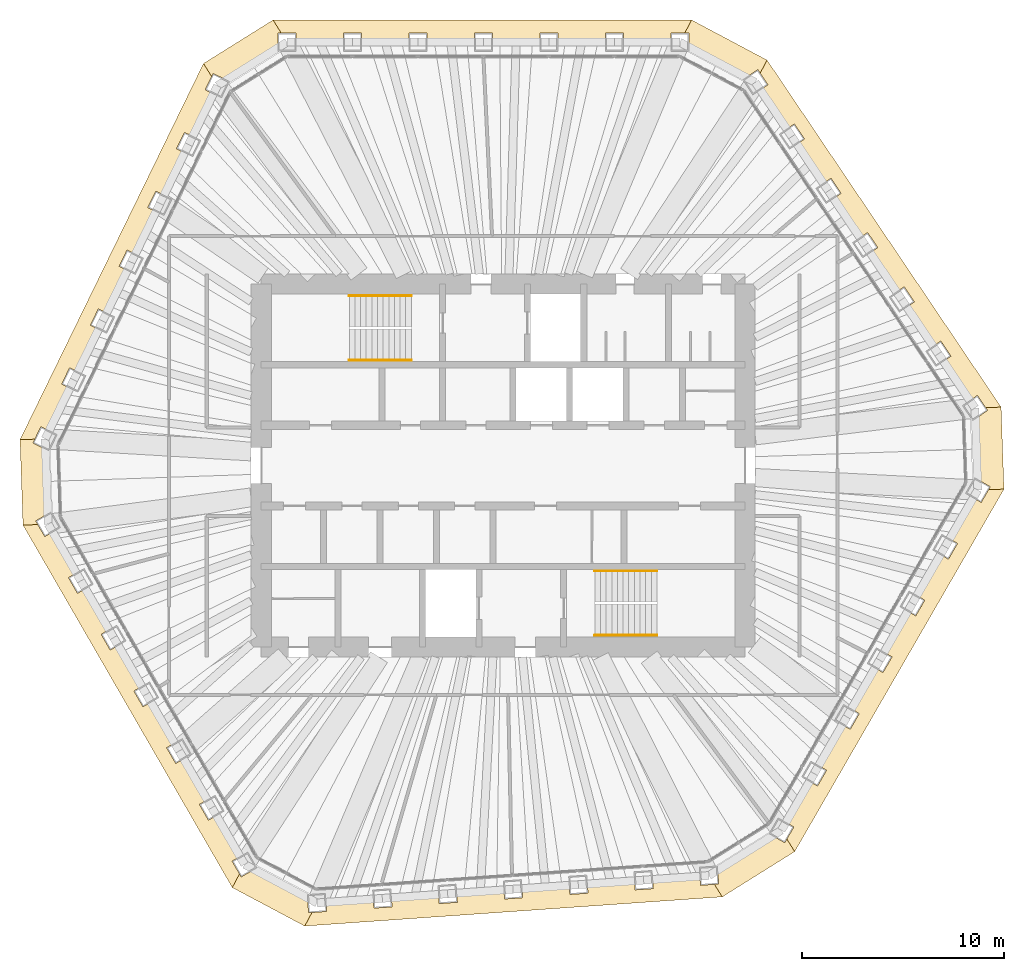
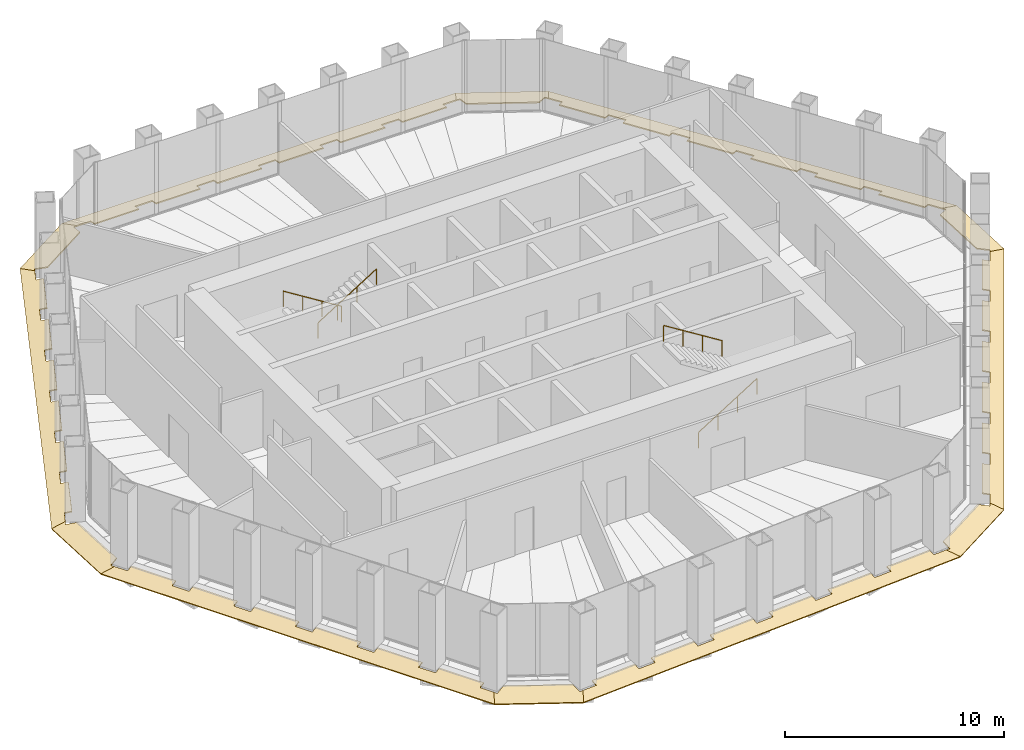
# One storey, part 14 of 14: 12 coverings, 4 railings.
"""IFC4 building model written with IfcOpenShell, lengths in metres."""

from ifc_helpers import new_model, si_unit, direction, frame, origin, origin_2d, place, context, subcontext, project, spatial, polyline, circle, outline, extrude, material, layer, layer_set, type_object, element, save


model = new_model("IFC4")

# Units and contexts
model_context = context("Model", 3, precision=1e-05, world=origin(), true_north=direction((0.0, 1.0)))
body_context = subcontext(model_context, "Body", "Model", "MODEL_VIEW")
ifc_project = project(units=[si_unit("LENGTHUNIT", "METRE"), si_unit("AREAUNIT", "SQUARE_METRE"), si_unit("VOLUMEUNIT", "CUBIC_METRE"), si_unit("PLANEANGLEUNIT", "RADIAN"), si_unit("MASSUNIT", "GRAM", prefix="KILO")], contexts=[model_context])

# Site, building, storey
site_placement = place(None, origin())
site = spatial("IfcSite", under=ifc_project, at=site_placement, CompositionType="ELEMENT")
building_placement = place(site_placement, origin())
building = spatial("IfcBuilding", under=site, at=building_placement, Name="Qingtian Harvest Tower", CompositionType="ELEMENT")
storey_placement = place(building_placement, frame((0.0, 0.0, 299.800048828125)))
storey = spatial("IfcBuildingStorey", under=building, at=storey_placement, Name="L66", CompositionType="ELEMENT", Elevation=299.800048828125)

# Coverings
ifc_material_1 = material(Name="Bronze-finished aluminium plate", Category="aluminium")
ifc_layer = layer(ifc_material_1, 0.06005859375)
ifc_layer_set = layer_set([ifc_layer], Name="Bronze eave band EB2 mid-tier")
covering_type = type_object("IfcCoveringType", Name="Bronze eave band EB2 mid-tier", PredefinedType="CLADDING", material=ifc_layer_set)
covering_1_placement = place(storey_placement, frame((-10.272216796875, 21.10009765625, -0.02001953125), z_axis=(0.0, 0.196032628704, 0.98059737328), x_axis=(0.0, 0.98059737328, -0.196032628704)))
element("IfcCovering", 1, at=covering_1_placement, inside=storey, type_object=covering_type, Name="Eave band EB2 L66 1", PredefinedType="CLADDING", context=body_context, shape_type="SweptSolid", body=[
    extrude(outline(polyline([(0.0, 0.0), (0.3568011231318641, 0.0), (0.3568011231318641, 0.731201171875), (1.0197943271149812, 1.137451171875), (1.0197943271149812, -19.623046875), (0.3568011231318641, -19.27734375), (0.3568011231318641, -18.588134765625), (0.0, -18.588134765625), (0.0, -16.239990234375), (0.3568011231318641, -16.239990234375), (0.3568011231318641, -15.340087890625), (0.0, -15.340087890625), (0.0, -12.991943359375), (0.3568011231318641, -12.991943359375), (0.3568011231318641, -12.092041015625), (0.0, -12.092041015625), (0.0, -9.744140625), (0.3568011231318641, -9.744140625), (0.3568011231318641, -8.843994140625), (0.0, -8.843994140625), (0.0, -6.49609375), (0.3568011231318641, -6.49609375), (0.3568011231318641, -5.595947265625), (0.0, -5.595947265625), (0.0, -3.248046875), (0.3568011231318641, -3.248046875), (0.3568011231318641, -2.347900390625), (0.0, -2.347900390625), (0.0, 0.0)])), origin(), (0.0, 0.0, -1.0), 0.06005859375),
])
covering_2_placement = place(storey_placement, frame((9.2158203125, 20.888916015625, -0.02001953125), z_axis=(0.081612807173, 0.153491678975, 0.98477391019), x_axis=(-6.13463e-06, 0.988070079609, -0.15400492766)))
element("IfcCovering", 2, at=covering_2_placement, inside=storey, type_object=covering_type, Name="Eave band EB2 L66 2", PredefinedType="CLADDING", context=body_context, shape_type="SweptSolid", body=[
    extrude(outline(polyline([(0.0, 0.0), (0.5678024431259948, 0.0), (0.5651342166419822, 0.21138832414819433), (1.227524977598705, -0.13546772153503472), (-0.7385065590913181, -3.889925021697679), (-1.400897321545753, -3.543312302213365), (-1.2255077976468036, -3.4249875379636885), (-1.548943376243149, -2.958344183529443), (0.0, 0.0)])), origin(), (0.0, 0.0, -1.0), 0.06005859375),
])
covering_3_placement = place(storey_placement, frame((12.842529296875, 18.693115234375, -0.02001953125), z_axis=(0.16252715156, 0.109625267565, 0.980595342492), x_axis=(0.812733439525, 0.548663455919, -0.196042771907)))
element("IfcCovering", 3, at=covering_3_placement, inside=storey, type_object=covering_type, Name="Eave band EB2 L66 3", PredefinedType="CLADDING", context=body_context, shape_type="SweptSolid", body=[
    extrude(outline(polyline([(0.0, 0.0), (0.3568895735693301, 1.7513253217429914e-17), (0.3572262726123724, 0.6890512692569519), (1.0201665447546358, 1.034611826029597), (1.0121489985931993, -19.72584646600453), (0.34930591557689844, -19.319448435720673), (0.34974917321418836, -18.588347670535285), (-0.007204870565983512, -18.588008722056383), (-0.00632271815442742, -16.24004599677182), (0.3507652766647866, -16.240182595421913), (0.3509750347185698, -15.34013510209358), (-0.005914538850760209, -15.34013510209358), (-0.0050323864392050055, -12.992172376809016), (0.351857187130125, -12.992172376809016), (0.3522653664337913, -12.092261482130777), (-0.004688677346379677, -12.091922533651875), (-0.0038065249348244734, -9.743959808367311), (0.3532814698843895, -9.744096407017407), (0.35349122793817184, -8.844048913689072), (-0.0033983456311572624, -8.844048913689072), (-0.0025161932196025028, -6.496086188404508), (0.3543733803497275, -6.496086188404508), (0.3547815596533938, -5.596175293726269), (-0.0023064351658197424, -5.596038695076172), (-0.0012903317152219707, -3.247873619962803), (0.35566371206494923, -3.2482125684417045), (0.3560074211577749, -2.347962725284563), (-0.0008821524115549817, -2.3479627252845634), (0.0, 0.0)])), origin(), (0.0, 0.0, -1.0), 0.06005859375),
])
covering_4_placement = place(storey_placement, frame((23.539306640625, 2.4013671875, -0.02001953125), z_axis=(0.167069988441, 0.005836757079, 0.985927761669), x_axis=(0.820682210715, 0.553370393369, -0.142344359775)))
element("IfcCovering", 4, at=covering_4_placement, inside=storey, type_object=covering_type, Name="Eave band EB2 L66 4", PredefinedType="CLADDING", context=body_context, shape_type="SweptSolid", body=[
    extrude(outline(polyline([(0.0, 0.0), (0.5982520411904939, -2.2551405187698492e-17), (0.5959697827792803, 0.16947203600789737), (1.2580544311906596, -0.23816043322503025), (-0.8765094892356101, -3.704193894320487), (-1.5385941376469896, -3.29656142508756), (-1.3861892888088314, -3.2222397170504196), (-1.655201138639346, -2.68796503689545), (0.0, 0.0)])), origin(), (0.0, 0.0, -1.0), 0.06005859375),
])
covering_5_placement = place(storey_placement, frame((23.4091796875, -1.654052734375, -0.02001953125), z_axis=(0.169775037586, -0.098018366113, 0.98059616383), x_axis=(0.849537632563, -0.489749591642, -0.196038639928)))
element("IfcCovering", 5, at=covering_5_placement, inside=storey, type_object=covering_type, Name="Eave band EB2 L66 5", PredefinedType="CLADDING", context=body_context, shape_type="SweptSolid", body=[
    extrude(outline(polyline([(0.0, 0.0), (0.35694568772434865, 2.4543626679640607e-17), (0.3573942094087848, 0.7309822531682725), (1.0205458676961925, 1.136876566776903), (1.0074472114484563, -19.623456895115208), (0.3448145456508352, -19.27747400579825), (0.34512212572457207, -18.588281652144605), (-0.011735723122598962, -18.587948205423665), (-0.010197118090772506, -16.239895586866414), (0.34666073075639764, -16.24022903358735), (0.3472508577809999, -15.340362750086946), (-0.009606991066170245, -15.340029303366006), (-0.008068386034343789, -12.991976684808755), (0.34878946281282636, -12.992310131529694), (0.34926002206603096, -12.092232340262933), (-0.007597826781139183, -12.091898893541995), (-0.006266628397887608, -9.743968213939327), (0.3507986270978574, -9.744179721705681), (0.3513887541224597, -8.844313438205276), (-0.00546909472471091, -8.843979991484336), (-0.004137896341459779, -6.49604931188167), (0.3528077913828889, -6.496049311881669), (0.3533979184074912, -5.5961830283812635), (-0.003459930439679404, -5.595849581660325), (-0.002128732056428495, -3.247918902057658), (0.3549365234393172, -3.248130409824012), (0.35540708269252247, -2.348052618557252), (-0.00133119838325102, -2.3479306796026664), (0.0, 0.0)])), origin(), (0.0, 0.0, -1.0), 0.06005859375),
])
covering_6_placement = place(storey_placement, frame((13.482421875, -18.42578125, -0.02001953125), z_axis=(0.092137021764, -0.147454024715, 0.984768033506), x_axis=(0.855680104025, -0.494049174715, -0.154035621005)))
element("IfcCovering", 6, at=covering_6_placement, inside=storey, type_object=covering_type, Name="Eave band EB2 L66 6", PredefinedType="CLADDING", context=body_context, shape_type="SweptSolid", body=[
    extrude(outline(polyline([(0.0, 0.0), (0.5677760403022465, -8.673617379884035e-19), (0.5651316294527823, 0.21158012400033285), (1.22738931899233, -0.13511997336521264), (-0.7385687213532577, -3.889770193282539), (-1.4008264108928052, -3.5430700959169936), (-1.2255251051862006, -3.4248725838920278), (-1.5488684346322827, -2.958253817643601), (0.0, 0.0)])), origin(), (0.0, 0.0, -1.0), 0.06005859375),
])
covering_7_placement = place(storey_placement, frame((9.767578125, -20.468505859375, -0.02001953125), z_axis=(0.013676636641, -0.195570673909, 0.980594238774), x_axis=(0.068405967841, -0.97820533871, -0.196048307523)))
element("IfcCovering", 7, at=covering_7_placement, inside=storey, type_object=covering_type, Name="Eave band EB2 L66 7", PredefinedType="CLADDING", context=body_context, shape_type="SweptSolid", body=[
    extrude(outline(polyline([(0.0, 0.0), (0.35691896860321354, -4.819617469876969e-19), (0.35690059792817397, 0.6891802712715305), (1.0197134610371672, 1.0348178243088673), (1.0197234793866727, -19.72547541158474), (0.3568521639870963, -19.319521938980483), (0.3568404735865127, -18.588247406420365), (-7.84950167005416e-05, -18.588247406420365), (-0.00010020566260759978, -16.240240547918052), (0.3568187629406059, -16.240240547918052), (0.3568671949893314, -15.340101878495048), (-5.177361388208901e-05, -15.340101878495046), (-7.348425978903617e-05, -12.992095019992732), (0.35684548434342434, -12.992095019992732), (0.3568772157164074, -12.092199896424), (-4.1752886806079026e-05, -12.092199896423999), (-6.346353271302618e-05, -9.744193037921685), (0.35685550507050057, -9.744193037921685), (0.35690393711922586, -8.84405436849868), (-1.5031483987515415e-05, -8.844054368498682), (-3.674212989451808e-05, -6.496047509996366), (0.35688222647331896, -6.496047509996366), (0.3569139578463019, -5.596152386427634), (-5.010756911560943e-06, -5.596152386427634), (-2.67214028185081e-05, -3.248145527925319), (0.35689224720039503, -3.248145527925319), (0.3569406792491205, -2.3480068585023153), (2.1710645906974912e-05, -2.3480068585023157), (0.0, 0.0)])), origin(), (0.0, 0.0, -1.0), 0.06005859375),
])
covering_8_placement = place(storey_placement, frame((-9.690185546875, -21.58642578125, -0.02001953125), z_axis=(-0.078495672475, -0.147625454978, 0.985923503344), x_axis=(0.069378699527, -0.987386141294, -0.142320778638)))
element("IfcCovering", 8, at=covering_8_placement, inside=storey, type_object=covering_type, Name="Eave band EB2 L66 8", PredefinedType="CLADDING", context=body_context, shape_type="SweptSolid", body=[
    extrude(outline(polyline([(0.0, 0.0), (0.5981326675915233, 0.0), (0.5960778582449734, 0.16928615885677872), (1.257834258025092, -0.23848224220283595), (-0.8785553729537918, -3.7035676371192348), (-1.5402948345748462, -3.295556438849347), (-1.3879013193776706, -3.2214890174949073), (-1.6566067166644505, -2.6869611144889802), (0.0, 0.0)])), origin(), (0.0, 0.0, -1.0), 0.06005859375),
])
covering_9_placement = place(storey_placement, frame((-13.136962890625, -19.446044921875, -0.02001953125), z_axis=(-0.169795848124, -0.098030579778, 0.980591339646), x_axis=(-0.849237449161, -0.490260268001, -0.196062807696)))
element("IfcCovering", 9, at=covering_9_placement, inside=storey, type_object=covering_type, Name="Eave band EB2 L66 9", PredefinedType="CLADDING", context=body_context, shape_type="SweptSolid", body=[
    extrude(outline(polyline([(0.0, 0.0), (0.35706531978119443, -2.1785687403380605e-18), (0.35684246237939093, 0.7311044524045098), (1.0197044928130639, 1.1372893665250898), (1.0205057549914602, -19.62304821218056), (0.35777744049984267, -19.277477809655277), (0.3576707698567703, -18.588163332924573), (0.0008127834371887133, -18.588285394722348), (0.000665048857408479, -16.24023227671079), (0.3577303686386027, -16.24023227671079), (0.3575856370645865, -15.34003230282278), (0.0007276506450040188, -15.340154364620554), (0.0005799160652228963, -12.992101246608996), (0.357645235846418, -12.992101246608996), (0.3573808118241593, -12.092112709620077), (0.000522825404576821, -12.09223477141785), (0.00037509082479658673, -9.744181653406292), (0.3574404106059908, -9.74418165340629), (0.3572956790319746, -8.843981679518281), (0.00043769261239212653, -8.844103741316056), (0.00028995803261144815, -6.496050623304498), (0.3573552778138061, -6.496050623304498), (0.3570908537915474, -5.596062086315578), (0.0002328673719649288, -5.596184148113352), (8.51327921846945e-05, -3.248131030101794), (0.35715045257337913, -3.2481310301017934), (0.35700572099936284, -2.347931056213784), (0.00014773457978012328, -2.3480531180115585), (0.0, 0.0)])), origin(), (0.0, 0.0, -1.0), 0.06005859375),
])
covering_10_placement = place(storey_placement, frame((-22.6982421875, -2.46337890625, -0.02001953125), z_axis=(-0.173760344788, -0.006070997745, 0.984769254986), x_axis=(-0.855673445918, -0.494063230668, -0.154027523687)))
element("IfcCovering", 10, at=covering_10_placement, inside=storey, type_object=covering_type, Name="Eave band EB2 L66 10", PredefinedType="CLADDING", context=body_context, shape_type="SweptSolid", body=[
    extrude(outline(polyline([(0.0, 0.0), (0.5677760407455548, 4.597017211338539e-17), (0.5651720426831746, 0.21124824606947554), (1.2272724758794848, -0.13552363331441764), (-0.7387834031805222, -3.8900920788258224), (-1.4008838363768321, -3.543320199441929), (-1.2256461450348028, -3.4249933563402677), (-1.549031361347745, -2.9584413046432396), (0.0, 0.0)])), origin(), (0.0, 0.0, -1.0), 0.06005859375),
])
covering_11_placement = place(storey_placement, frame((-22.610107421875, 1.775390625, -0.02001953125), z_axis=(-0.176187218503, 0.085932674605, 0.980598612824), x_axis=(-0.881409995038, 0.429755815221, -0.196026426615)))
element("IfcCovering", 11, at=covering_11_placement, inside=storey, type_object=covering_type, Name="Eave band EB2 L66 11", PredefinedType="CLADDING", context=body_context, shape_type="SweptSolid", body=[
    extrude(outline(polyline([(0.0, 0.0), (0.3567876733412595, -1.6276585114438635e-17), (0.3570061964469131, 0.6891952848216484), (1.0198113755019302, 1.0346182399242025), (1.0173549474483314, -19.725575520768526), (0.3545223617988542, -19.31945408132574), (0.3546172516692918, -18.588219983857833), (-0.0024905305123628096, -18.588107536656192), (-0.0021938331715887216, -16.24012208393273), (0.3549139490100659, -16.24023453113437), (0.3549500281942004, -15.340085299626143), (-0.00205283313412874, -15.340192297436541), (-0.0017561357933546518, -12.992206844713078), (0.3552467255349745, -12.99209984690268), (0.35538772557243536, -12.092170060406493), (-0.001720056609219256, -12.092057613204851), (-0.0014233592684465002, -9.744072160481387), (0.3556844229132081, -9.744184607683032), (0.35572050209734307, -8.844035376174803), (-0.0012823592309860743, -8.844142373985202), (-0.0009856618902124303, -6.496156921261738), (0.3560171994381167, -6.49604992345134), (0.3561581994755776, -5.596120136955155), (-0.0009495827060770345, -5.596007689753511), (-0.00043769737823406984, -3.2479152392196493), (0.3564548968163509, -3.2481346842316907), (0.35649097600048607, -2.347985452723464), (-0.0002966973407733109, -2.3479854527234636), (0.0, 0.0)])), origin(), (0.0, 0.0, -1.0), 0.06005859375),
])
covering_12_placement = place(storey_placement, frame((-13.849365234375, 19.18505859375, -0.02001953125), z_axis=(-0.088587649761, 0.141769750667, 0.985927769213), x_axis=(-0.889681804835, 0.43383262723, -0.142321950858)))
element("IfcCovering", 12, at=covering_12_placement, inside=storey, type_object=covering_type, Name="Eave band EB2 L66 12", PredefinedType="CLADDING", context=body_context, shape_type="SweptSolid", body=[
    extrude(outline(polyline([(0.0, 0.0), (0.5982277290369894, 3.382710778154774e-17), (0.5961133648772907, 0.1693602287414464), (1.2579806145815664, -0.2383325511086722), (-0.8774577707117639, -3.7040010550147926), (-1.539430936584797, -3.296091046169487), (-1.3869690786992885, -3.2217471228657453), (-1.6559423408776688, -2.6874945154871295), (0.0, 0.0)])), origin(), (0.0, 0.0, -1.0), 0.06005859375),
])

# Railings
ifc_material_2 = material(Name="Stainless steel handrail", Category="steel")
railing_type = type_object("IfcRailingType", Name="Handrail HR1", PredefinedType="HANDRAIL", material=ifc_material_2)
railing_1_placement = place(storey_placement, frame((-4.550048828125, 8.419921875, 0.175048828125)))
element("IfcRailing", 13, at=railing_1_placement, inside=storey, type_object=railing_type, Name="Handrail HR1 S1 flight 1", PredefinedType="HANDRAIL", context=body_context, shape_type="SweptSolid", body=[
    extrude(circle(Radius=0.02392578125, at=origin_2d()), frame((0.0, 0.0, 0.8759765625), z_axis=(-0.848009633417, 0.0, 0.529980812513), x_axis=(0.0, -1.0, 0.0)), (0.0, 0.0, 1.0), 3.6318359375),
    extrude(circle(Radius=0.02099609375, at=origin_2d()), origin(), (0.0, 0.0, 1.0), 0.851806640625),
    extrude(circle(Radius=0.02099609375, at=origin_2d()), frame((-1.026611328125, 0.0, 0.6416015625)), (0.0, 0.0, 1.0), 0.851806640625),
    extrude(circle(Radius=0.02099609375, at=origin_2d()), frame((-2.05322265625, 0.0, 1.283203125)), (0.0, 0.0, 1.0), 0.851806640625),
    extrude(circle(Radius=0.02099609375, at=origin_2d()), frame((-3.079833984375, 0.0, 1.9248046875)), (0.0, 0.0, 1.0), 0.851806640625),
])
railing_2_placement = place(storey_placement, frame((-7.6298828125, 5.22998046875, 2.27490234375)))
element("IfcRailing", 14, at=railing_2_placement, inside=storey, type_object=railing_type, Name="Handrail HR1 S1 flight 2", PredefinedType="HANDRAIL", context=body_context, shape_type="SweptSolid", body=[
    extrude(circle(Radius=0.02392578125, at=origin_2d()), frame((0.0, 0.0, 0.8759765625), z_axis=(0.847979421464, 0.0, 0.530029150871), x_axis=(0.0, 1.0, 0.0)), (0.0, 0.0, 1.0), 3.632080078125),
    extrude(circle(Radius=0.02099609375, at=origin_2d()), origin(), (0.0, 0.0, 1.0), 0.851806640625),
    extrude(circle(Radius=0.02099609375, at=origin_2d()), frame((1.026611328125, 0.0, 0.6416015625)), (0.0, 0.0, 1.0), 0.851806640625),
    extrude(circle(Radius=0.02099609375, at=origin_2d()), frame((2.05322265625, 0.0, 1.283447265625)), (0.0, 0.0, 1.0), 0.851806640625),
    extrude(circle(Radius=0.02099609375, at=origin_2d()), frame((3.079833984375, 0.0, 1.925048828125)), (0.0, 0.0, 1.0), 0.851806640625),
])
railing_3_placement = place(storey_placement, frame((4.550048828125, -8.419921875, 0.175048828125)))
element("IfcRailing", 15, at=railing_3_placement, inside=storey, type_object=railing_type, Name="Handrail HR1 S2 flight 1", PredefinedType="HANDRAIL", context=body_context, shape_type="SweptSolid", body=[
    extrude(circle(Radius=0.02392578125, at=origin_2d()), frame((0.0, 0.0, 0.8759765625), z_axis=(0.848009633417, 0.0, 0.529980812513), x_axis=(0.0, 1.0, 0.0)), (0.0, 0.0, 1.0), 3.6318359375),
    extrude(circle(Radius=0.02099609375, at=origin_2d()), origin(), (0.0, 0.0, 1.0), 0.851806640625),
    extrude(circle(Radius=0.02099609375, at=origin_2d()), frame((1.026611328125, 0.0, 0.6416015625)), (0.0, 0.0, 1.0), 0.851806640625),
    extrude(circle(Radius=0.02099609375, at=origin_2d()), frame((2.05322265625, 0.0, 1.283203125)), (0.0, 0.0, 1.0), 0.851806640625),
    extrude(circle(Radius=0.02099609375, at=origin_2d()), frame((3.079833984375, 0.0, 1.9248046875)), (0.0, 0.0, 1.0), 0.851806640625),
])
railing_4_placement = place(storey_placement, frame((7.6298828125, -5.22998046875, 2.27490234375)))
element("IfcRailing", 16, at=railing_4_placement, inside=storey, type_object=railing_type, Name="Handrail HR1 S2 flight 2", PredefinedType="HANDRAIL", context=body_context, shape_type="SweptSolid", body=[
    extrude(circle(Radius=0.02392578125, at=origin_2d()), frame((0.0, 0.0, 0.8759765625), z_axis=(-0.847979421464, 0.0, 0.530029150871), x_axis=(0.0, -1.0, 0.0)), (0.0, 0.0, 1.0), 3.632080078125),
    extrude(circle(Radius=0.02099609375, at=origin_2d()), origin(), (0.0, 0.0, 1.0), 0.851806640625),
    extrude(circle(Radius=0.02099609375, at=origin_2d()), frame((-1.026611328125, 0.0, 0.6416015625)), (0.0, 0.0, 1.0), 0.851806640625),
    extrude(circle(Radius=0.02099609375, at=origin_2d()), frame((-2.05322265625, 0.0, 1.283447265625)), (0.0, 0.0, 1.0), 0.851806640625),
    extrude(circle(Radius=0.02099609375, at=origin_2d()), frame((-3.079833984375, 0.0, 1.925048828125)), (0.0, 0.0, 1.0), 0.851806640625),
])

save(model, "model.ifc")
